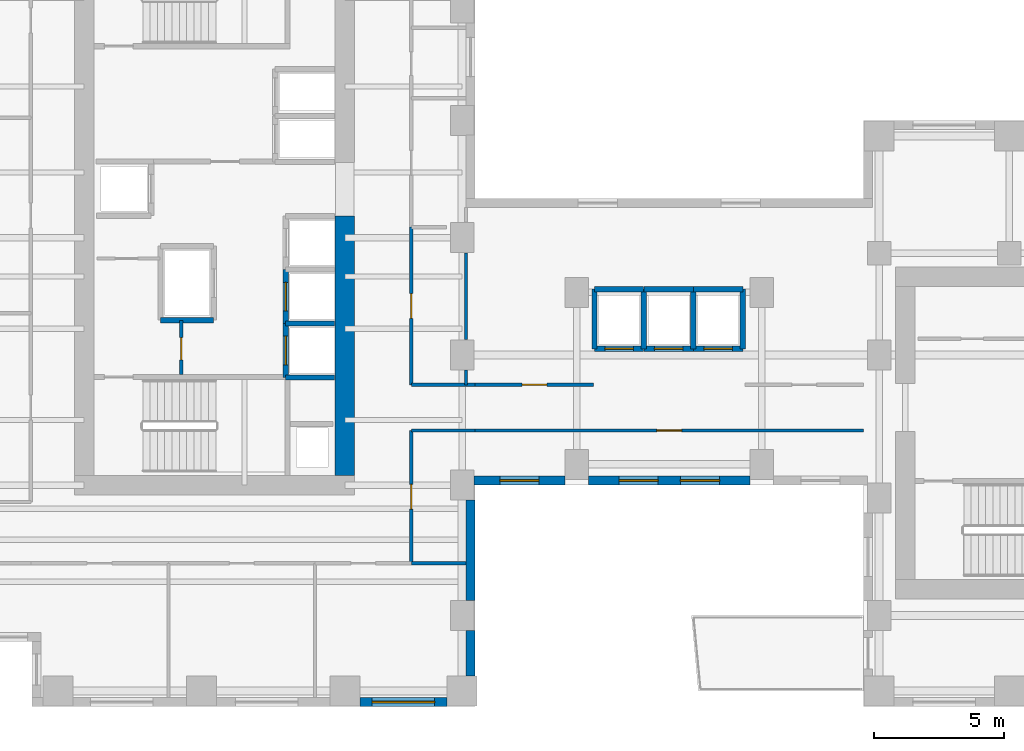
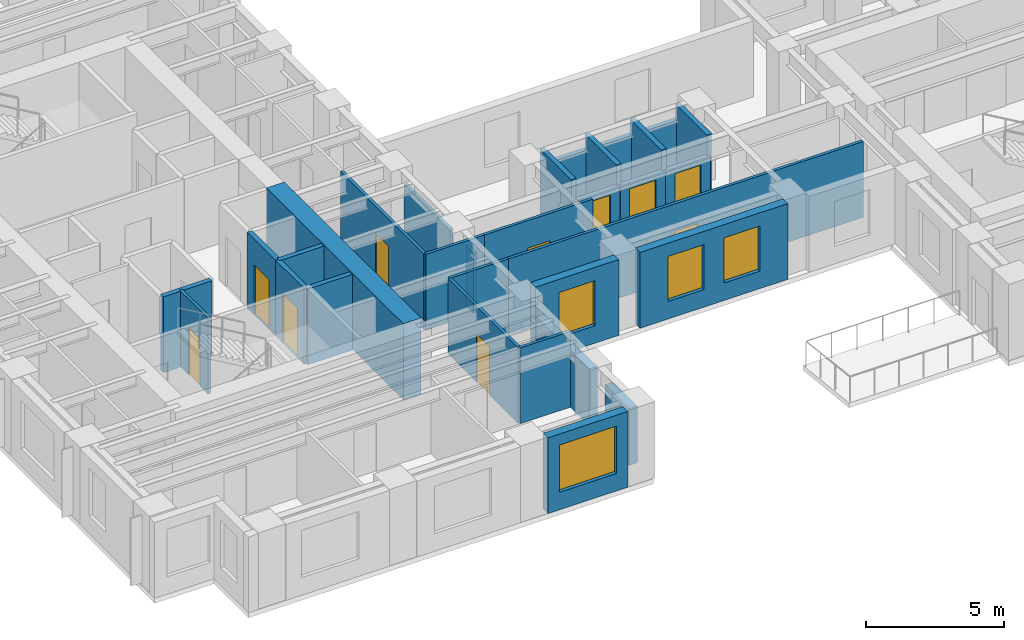
# One storey, part 4 of 12: 31 walls, 10 doors, 4 windows, 14 openings.
"""IFC4 building model written with IfcOpenShell, lengths in metres."""

from ifc_helpers import new_model, si_unit, direction, frame, frame_2d, origin, place, context, subcontext, project, spatial, rectangle, extrude, source, transform, mapped, material, layer, layer_set, type_object, element, fill, save


model = new_model("IFC4")

# Units and contexts
model_context = context("Model", 3, precision=1e-05, world=origin(), true_north=direction((0.0, 1.0)))
body_context = subcontext(model_context, "Body", "Model", "MODEL_VIEW")
ifc_project = project(units=[si_unit("LENGTHUNIT", "METRE"), si_unit("AREAUNIT", "SQUARE_METRE"), si_unit("VOLUMEUNIT", "CUBIC_METRE"), si_unit("PLANEANGLEUNIT", "RADIAN"), si_unit("MASSUNIT", "GRAM", prefix="KILO")], contexts=[model_context])

# Site, building, storey
site_placement = place(None, origin())
site = spatial("IfcSite", under=ifc_project, at=site_placement, CompositionType="ELEMENT")
building_placement = place(site_placement, origin())
building = spatial("IfcBuilding", under=site, at=building_placement, Name="Kharzan Plaza Tower", CompositionType="ELEMENT")
storey_placement = place(building_placement, frame((0.0, 0.0, 106.199951171875)))
storey = spatial("IfcBuildingStorey", under=building, at=storey_placement, Name="L28", CompositionType="ELEMENT", Elevation=106.199951171875)

# Wall, opening, window
ifc_material_1 = material(Name="Concrete C40/50", Category="concrete")
ifc_layer_1 = layer(ifc_material_1, 0.35009765625)
ifc_layer_set_1 = layer_set([ifc_layer_1], Name="Concrete C40/50")
wall_type_1 = type_object("IfcWallType", Name="WL-EXT-MAS-Z2", PredefinedType="SOLIDWALL", material=ifc_layer_set_1)
wall_1_placement = place(storey_placement, frame((15.072998046875, 0.175048828125, 0.0), z_axis=(0.0, 0.0, 1.0), x_axis=(1.0, 0.0, 0.0)))
wall_1 = element("IfcWall", 1, at=wall_1_placement, inside=storey, type_object=wall_type_1, Name="L28 Masonry-Frame Exterior Wall 31", PredefinedType="SOLIDWALL", context=body_context, shape_type="SweptSolid", body=[
    extrude(rectangle(XDim=3.35400390625, YDim=0.35009765625, at=frame_2d((1.677001953125, 0.0))), origin(), (0.0, 0.0, 1.0), 3.364990234375),
])
opening_1_placement = place(wall_1_placement, frame((0.47705078125, 0.0, 0.780029296875)))
opening_1 = element("IfcOpeningElement", 2, at=opening_1_placement, cuts=wall_1, Name="Opening W2", PredefinedType="OPENING", context=body_context, shape_type="SweptSolid", body=[
    extrude(rectangle(XDim=2.39990234375, YDim=2.10009765625, at=frame_2d((1.199951171875, 1.050048828125))), frame((0.0, 0.18505859375, 0.0), z_axis=(0.0, -1.0, 0.0), x_axis=(1.0, 0.0, 0.0)), (0.0, 0.0, 1.0), 0.3701171875),
])
ifc_material_2 = material(Name="Low-E Double Glazing", Category="glass")
window_type_1 = type_object("IfcWindowType", Name="WN-REC-2400x2100", PartitioningType="SINGLE_PANEL", PredefinedType="WINDOW", material=ifc_material_2)
shared_shape_1 = source(origin(), body_context, "Body", "SweptSolid", [
    extrude(rectangle(XDim=2.39990234375, YDim=2.10009765625, at=frame_2d((1.199951171875, 1.050048828125))), frame((0.0, 0.030029296875, 0.0), z_axis=(0.0, -1.0, 0.0), x_axis=(1.0, 0.0, 0.0)), (0.0, 0.0, 1.0), 0.06005859375),
])
window_1_placement = place(opening_1_placement, origin())
window_1 = element("IfcWindow", 3, at=window_1_placement, inside=storey, type_object=window_type_1, Name="L28 Wide Recessed Solar-Control Window 31-1", OverallHeight=2.10009765625, OverallWidth=2.39990234375, PartitioningType="SINGLE_PANEL", PredefinedType="WINDOW", context=body_context, shape_type="MappedRepresentation", body=[
    mapped(shared_shape_1, transform((0.0, 0.0, 0.0), x_axis=(1.0, 0.0, 0.0), y_axis=(0.0, 1.0, 0.0), z_axis=(0.0, 0.0, 1.0))),
])
fill(opening_1, window_1)

wall_2_placement = place(storey_placement, frame((19.447998046875, 8.675048828125, 0.0), z_axis=(0.0, 0.0, 1.0), x_axis=(1.0, 0.0, 0.0)))
wall_2 = element("IfcWall", 4, at=wall_2_placement, inside=storey, type_object=wall_type_1, Name="L28 Masonry-Frame Exterior Wall 34", PredefinedType="SOLIDWALL", context=body_context, shape_type="SweptSolid", body=[
    extrude(rectangle(XDim=3.50390625, YDim=0.35009765625, at=frame_2d((1.751953125, 0.0))), origin(), (0.0, 0.0, 1.0), 3.364990234375),
])
opening_2_placement = place(wall_2_placement, frame((1.001953125, 0.0, 0.780029296875)))
opening_2 = element("IfcOpeningElement", 5, at=opening_2_placement, cuts=wall_2, Name="Opening W5", PredefinedType="OPENING", context=body_context, shape_type="SweptSolid", body=[
    extrude(rectangle(XDim=1.5, YDim=2.0, at=frame_2d((0.75, 1.0))), frame((0.0, 0.18505859375, 0.0), z_axis=(0.0, -1.0, 0.0), x_axis=(1.0, 0.0, 0.0)), (0.0, 0.0, 1.0), 0.3701171875),
])
window_type_2 = type_object("IfcWindowType", Name="WN-SLT-1500x2000", PartitioningType="SINGLE_PANEL", PredefinedType="WINDOW", material=ifc_material_2)
shared_shape_2 = source(origin(), body_context, "Body", "SweptSolid", [
    extrude(rectangle(XDim=1.5, YDim=2.0, at=frame_2d((0.75, 1.0))), frame((0.0, 0.030029296875, 0.0), z_axis=(0.0, -1.0, 0.0), x_axis=(1.0, 0.0, 0.0)), (0.0, 0.0, 1.0), 0.06005859375),
])
window_2_placement = place(opening_2_placement, origin())
window_2 = element("IfcWindow", 6, at=window_2_placement, inside=storey, type_object=window_type_2, Name="L28 Recessed Solar-Control Window 34-1", OverallHeight=2.0, OverallWidth=1.5, PartitioningType="SINGLE_PANEL", PredefinedType="WINDOW", context=body_context, shape_type="MappedRepresentation", body=[
    mapped(shared_shape_2, transform((0.0, 0.0, 0.0), x_axis=(1.0, 0.0, 0.0), y_axis=(0.0, 1.0, 0.0), z_axis=(0.0, 0.0, 1.0))),
])
fill(opening_2, window_2)

# Wall, openings, windows
wall_3_placement = place(storey_placement, frame((23.847900390625, 8.675048828125, 0.0), z_axis=(0.0, 0.0, 1.0), x_axis=(1.0, 0.0, 0.0)))
wall_3 = element("IfcWall", 7, at=wall_3_placement, inside=storey, type_object=wall_type_1, Name="L28 Masonry-Frame Exterior Wall 35", PredefinedType="SOLIDWALL", context=body_context, shape_type="SweptSolid", body=[
    extrude(rectangle(XDim=6.2041015625, YDim=0.35009765625, at=frame_2d((3.10205078125, 0.0))), origin(), (0.0, 0.0, 1.0), 3.364990234375),
])
opening_3_placement = place(wall_3_placement, frame((1.1748046875, 0.0, 0.780029296875)))
opening_3 = element("IfcOpeningElement", 8, at=opening_3_placement, cuts=wall_3, Name="Opening W5", PredefinedType="OPENING", context=body_context, shape_type="SweptSolid", body=[
    extrude(rectangle(XDim=1.5, YDim=2.0, at=frame_2d((0.75, 1.0))), frame((0.0, 0.18505859375, 0.0), z_axis=(0.0, -1.0, 0.0), x_axis=(1.0, 0.0, 0.0)), (0.0, 0.0, 1.0), 0.3701171875),
])
opening_4_placement = place(wall_3_placement, frame((3.529296875, 0.0, 0.780029296875)))
opening_4 = element("IfcOpeningElement", 9, at=opening_4_placement, cuts=wall_3, Name="Opening W5", PredefinedType="OPENING", context=body_context, shape_type="SweptSolid", body=[
    extrude(rectangle(XDim=1.5, YDim=2.0, at=frame_2d((0.75, 1.0))), frame((0.0, 0.18505859375, 0.0), z_axis=(0.0, -1.0, 0.0), x_axis=(1.0, 0.0, 0.0)), (0.0, 0.0, 1.0), 0.3701171875),
])
window_3_placement = place(opening_3_placement, origin())
window_3 = element("IfcWindow", 10, at=window_3_placement, inside=storey, type_object=window_type_2, Name="L28 Recessed Solar-Control Window 35-1", OverallHeight=2.0, OverallWidth=1.5, PartitioningType="SINGLE_PANEL", PredefinedType="WINDOW", context=body_context, shape_type="MappedRepresentation", body=[
    mapped(shared_shape_2, transform((0.0, 0.0, 0.0), x_axis=(1.0, 0.0, 0.0), y_axis=(0.0, 1.0, 0.0), z_axis=(0.0, 0.0, 1.0))),
])
fill(opening_3, window_3)
window_4_placement = place(opening_4_placement, origin())
window_4 = element("IfcWindow", 11, at=window_4_placement, inside=storey, type_object=window_type_2, Name="L28 Recessed Solar-Control Window 35-2", OverallHeight=2.0, OverallWidth=1.5, PartitioningType="SINGLE_PANEL", PredefinedType="WINDOW", context=body_context, shape_type="MappedRepresentation", body=[
    mapped(shared_shape_2, transform((0.0, 0.0, 0.0), x_axis=(1.0, 0.0, 0.0), y_axis=(0.0, 1.0, 0.0), z_axis=(0.0, 0.0, 1.0))),
])
fill(opening_4, window_4)

# Wall, opening, door
ifc_material_3 = material(Name="Fire-Rated Gypsum Board Partition", Category="gypsum")
ifc_layer_2 = layer(ifc_material_3, 0.125)
ifc_layer_set_2 = layer_set([ifc_layer_2], Name="Fire-Rated Gypsum Board Partition")
wall_type_2 = type_object("IfcWallType", Name="WL-INT-PART-125", PredefinedType="PARTITIONING", material=ifc_layer_set_2)
wall_4_placement = place(storey_placement, frame((8.219970703125, 12.75, 0.0), z_axis=(0.0, 0.0, 1.0), x_axis=(0.0, 1.0, 0.0)))
wall_4 = element("IfcWall", 12, at=wall_4_placement, inside=storey, type_object=wall_type_2, Name="L28 Interior Partition CA-K1E", PredefinedType="PARTITIONING", context=body_context, shape_type="SweptSolid", body=[
    extrude(rectangle(XDim=2.070068359375, YDim=0.125, at=frame_2d((1.03515625, 0.0))), origin(), (0.0, 0.0, 1.0), 3.364990234375),
])
opening_5_placement = place(wall_4_placement, frame((0.56005859375, 0.0, 0.0)))
opening_5 = element("IfcOpeningElement", 13, at=opening_5_placement, cuts=wall_4, Name="Opening RD1", PredefinedType="OPENING", context=body_context, shape_type="SweptSolid", body=[
    extrude(rectangle(XDim=0.85009765625, YDim=2.10009765625, at=frame_2d((0.425048828125, 1.050048828125))), frame((0.0, 0.072509765625, 0.0), z_axis=(0.0, -1.0, 0.0), x_axis=(1.0, 0.0, 0.0)), (0.0, 0.0, 1.0), 0.14501953125),
])
ifc_material_4 = material(Name="Powder-Coated Fire-Rated Steel", Category="steel")
door_type_1 = type_object("IfcDoorType", Name="DR-RISER-900", OperationType="NOTDEFINED", PredefinedType="DOOR", material=ifc_material_4)
shared_shape_3 = source(origin(), body_context, "Body", "SweptSolid", [
    extrude(rectangle(XDim=0.85009765625, YDim=2.10009765625, at=frame_2d((0.425048828125, 1.050048828125))), frame((0.0, 0.02490234375, 0.0), z_axis=(0.0, -1.0, 0.0), x_axis=(1.0, 0.0, 0.0)), (0.0, 0.0, 1.0), 0.050048828125),
])
door_1_placement = place(opening_5_placement, origin())
door_1 = element("IfcDoor", 14, at=door_1_placement, inside=storey, type_object=door_type_1, Name="L28 Core Service Store Door", OperationType="SINGLE_SWING_LEFT", OverallHeight=2.10009765625, OverallWidth=0.85009765625, PredefinedType="DOOR", context=body_context, shape_type="MappedRepresentation", body=[
    mapped(shared_shape_3, transform((0.0, 0.0, 0.0), x_axis=(1.0, 0.0, 0.0), y_axis=(0.0, 1.0, 0.0), z_axis=(0.0, 0.0, 1.0))),
])
fill(opening_5, door_1)

wall_5_placement = place(storey_placement, frame((17.050048828125, 12.35009765625, 0.0), z_axis=(0.0, 0.0, 1.0), x_axis=(0.0, 1.0, 0.0)))
wall_5 = element("IfcWall", 15, at=wall_5_placement, inside=storey, type_object=wall_type_2, Name="L28 Interior Partition SH-AEWN1", PredefinedType="PARTITIONING", context=body_context, shape_type="SweptSolid", body=[
    extrude(rectangle(XDim=6.0498046875, YDim=0.125, at=frame_2d((3.02490234375, 0.0))), origin(), (0.0, 0.0, 1.0), 3.364990234375),
])
opening_6_placement = place(wall_5_placement, frame((2.550048828125, 0.0, 0.0)))
opening_6 = element("IfcOpeningElement", 16, at=opening_6_placement, cuts=wall_5, Name="Opening OD1", PredefinedType="OPENING", context=body_context, shape_type="SweptSolid", body=[
    extrude(rectangle(XDim=0.949951171875, YDim=2.14990234375, at=frame_2d((0.47509765625, 1.074951171875))), frame((0.0, 0.072509765625, 0.0), z_axis=(0.0, -1.0, 0.0), x_axis=(1.0, 0.0, 0.0)), (0.0, 0.0, 1.0), 0.14501953125),
])
ifc_material_5 = material(Name="Acoustic Solid-Core Stained Oak", Category="timber")
door_type_2 = type_object("IfcDoorType", Name="DR-OFF-SINGLE", OperationType="NOTDEFINED", PredefinedType="DOOR", material=ifc_material_5)
shared_shape_4 = source(origin(), body_context, "Body", "SweptSolid", [
    extrude(rectangle(XDim=0.949951171875, YDim=2.14990234375, at=frame_2d((0.47509765625, 1.074951171875))), frame((0.0, 0.02490234375, 0.0), z_axis=(0.0, -1.0, 0.0), x_axis=(1.0, 0.0, 0.0)), (0.0, 0.0, 1.0), 0.050048828125),
])
door_2_placement = place(opening_6_placement, origin())
door_2 = element("IfcDoor", 17, at=door_2_placement, inside=storey, type_object=door_type_2, Name="L28 Slot Collaboration Door", OperationType="SINGLE_SWING_RIGHT", OverallHeight=2.14990234375, OverallWidth=0.949951171875, PredefinedType="DOOR", context=body_context, shape_type="MappedRepresentation", body=[
    mapped(shared_shape_4, transform((0.0, 0.0, 0.0), x_axis=(1.0, 0.0, 0.0), y_axis=(0.0, 1.0, 0.0), z_axis=(0.0, 0.0, 1.0))),
])
fill(opening_6, door_2)

wall_6_placement = place(storey_placement, frame((17.050048828125, 5.5, 0.0), z_axis=(0.0, 0.0, 1.0), x_axis=(0.0, 1.0, 0.0)))
wall_6 = element("IfcWall", 18, at=wall_6_placement, inside=storey, type_object=wall_type_2, Name="L28 Interior Partition SH-AEWS", PredefinedType="PARTITIONING", context=body_context, shape_type="SweptSolid", body=[
    extrude(rectangle(XDim=5.10009765625, YDim=0.125, at=frame_2d((2.550048828125, 0.0))), origin(), (0.0, 0.0, 1.0), 3.364990234375),
])
opening_7_placement = place(wall_6_placement, frame((2.074951171875, 0.0, 0.0)))
opening_7 = element("IfcOpeningElement", 19, at=opening_7_placement, cuts=wall_6, Name="Opening OD1", PredefinedType="OPENING", context=body_context, shape_type="SweptSolid", body=[
    extrude(rectangle(XDim=0.949951171875, YDim=2.14990234375, at=frame_2d((0.47509765625, 1.074951171875))), frame((0.0, 0.072509765625, 0.0), z_axis=(0.0, -1.0, 0.0), x_axis=(1.0, 0.0, 0.0)), (0.0, 0.0, 1.0), 0.14501953125),
])
door_3_placement = place(opening_7_placement, origin())
door_3 = element("IfcDoor", 20, at=door_3_placement, inside=storey, type_object=door_type_2, Name="L28 Slot South Office Door", OperationType="SINGLE_SWING_LEFT", OverallHeight=2.14990234375, OverallWidth=0.949951171875, PredefinedType="DOOR", context=body_context, shape_type="MappedRepresentation", body=[
    mapped(shared_shape_4, transform((0.0, 0.0, 0.0), x_axis=(1.0, 0.0, 0.0), y_axis=(0.0, 1.0, 0.0), z_axis=(0.0, 0.0, 1.0))),
])
fill(opening_7, door_3)

wall_7_placement = place(storey_placement, frame((19.5, 12.35009765625, 0.0), z_axis=(0.0, 0.0, 1.0), x_axis=(1.0, 0.0, 0.0)))
wall_7 = element("IfcWall", 21, at=wall_7_placement, inside=storey, type_object=wall_type_2, Name="L28 Interior Partition SH-SPNW1", PredefinedType="PARTITIONING", context=body_context, shape_type="SweptSolid", body=[
    extrude(rectangle(XDim=4.550048828125, YDim=0.125, at=frame_2d((2.27490234375, 0.0))), origin(), (0.0, 0.0, 1.0), 3.364990234375),
])
opening_8_placement = place(wall_7_placement, frame((1.800048828125, 0.0, 0.0)))
opening_8 = element("IfcOpeningElement", 22, at=opening_8_placement, cuts=wall_7, Name="Opening OD1", PredefinedType="OPENING", context=body_context, shape_type="SweptSolid", body=[
    extrude(rectangle(XDim=0.949951171875, YDim=2.14990234375, at=frame_2d((0.47509765625, 1.074951171875))), frame((0.0, 0.072509765625, 0.0), z_axis=(0.0, -1.0, 0.0), x_axis=(1.0, 0.0, 0.0)), (0.0, 0.0, 1.0), 0.14501953125),
])
door_4_placement = place(opening_8_placement, origin())
door_4 = element("IfcDoor", 23, at=door_4_placement, inside=storey, type_object=door_type_2, Name="L28 North-West Spine Door", OperationType="SINGLE_SWING_LEFT", OverallHeight=2.14990234375, OverallWidth=0.949951171875, PredefinedType="DOOR", context=body_context, shape_type="MappedRepresentation", body=[
    mapped(shared_shape_4, transform((0.0, 0.0, 0.0), x_axis=(1.0, 0.0, 0.0), y_axis=(0.0, 1.0, 0.0), z_axis=(0.0, 0.0, 1.0))),
])
fill(opening_8, door_4)

wall_8_placement = place(storey_placement, frame((19.5, 10.60009765625, 0.0), z_axis=(0.0, 0.0, 1.0), x_axis=(1.0, 0.0, 0.0)))
wall_8 = element("IfcWall", 24, at=wall_8_placement, inside=storey, type_object=wall_type_2, Name="L28 Interior Partition SH-SPS1", PredefinedType="PARTITIONING", context=body_context, shape_type="SweptSolid", body=[
    extrude(rectangle(XDim=14.89990234375, YDim=0.125, at=frame_2d((7.449951171875, 0.0))), origin(), (0.0, 0.0, 1.0), 3.364990234375),
])
opening_9_placement = place(wall_8_placement, frame((6.97509765625, 0.0, 0.0)))
opening_9 = element("IfcOpeningElement", 25, at=opening_9_placement, cuts=wall_8, Name="Opening OD1", PredefinedType="OPENING", context=body_context, shape_type="SweptSolid", body=[
    extrude(rectangle(XDim=0.949951171875, YDim=2.14990234375, at=frame_2d((0.47509765625, 1.074951171875))), frame((0.0, 0.072509765625, 0.0), z_axis=(0.0, -1.0, 0.0), x_axis=(1.0, 0.0, 0.0)), (0.0, 0.0, 1.0), 0.14501953125),
])
door_5_placement = place(opening_9_placement, origin())
door_5 = element("IfcDoor", 26, at=door_5_placement, inside=storey, type_object=door_type_2, Name="L28 South Spine Studio Door", OperationType="SINGLE_SWING_RIGHT", OverallHeight=2.14990234375, OverallWidth=0.949951171875, PredefinedType="DOOR", context=body_context, shape_type="MappedRepresentation", body=[
    mapped(shared_shape_4, transform((0.0, 0.0, 0.0), x_axis=(1.0, 0.0, 0.0), y_axis=(0.0, 1.0, 0.0), z_axis=(0.0, 0.0, 1.0))),
])
fill(opening_9, door_5)

ifc_layer_3 = layer(ifc_material_1, 0.199951171875)
ifc_layer_set_3 = layer_set([ifc_layer_3], Name="Concrete C40/50")
wall_type_3 = type_object("IfcWallType", Name="WL-INT-SHAFT-200", PredefinedType="PARTITIONING", material=ifc_layer_set_3)
wall_9_placement = place(storey_placement, frame((12.22998046875, 12.6298828125, 0.0), z_axis=(0.0, 0.0, 1.0), x_axis=(0.0, 1.0, 0.0)))
wall_9 = element("IfcWall", 27, at=wall_9_placement, inside=storey, type_object=wall_type_3, Name="L28 Interior Partition SHF-PL-H1-W", PredefinedType="PARTITIONING", context=body_context, shape_type="SweptSolid", body=[
    extrude(rectangle(XDim=2.070068359375, YDim=0.199951171875, at=frame_2d((1.03515625, 0.0))), origin(), (0.0, 0.0, 1.0), 3.364990234375),
])
opening_10_placement = place(wall_9_placement, frame((0.485107421875, 0.0, 0.0)))
opening_10 = element("IfcOpeningElement", 28, at=opening_10_placement, cuts=wall_9, Name="Opening LD", PredefinedType="OPENING", context=body_context, shape_type="SweptSolid", body=[
    extrude(rectangle(XDim=1.10009765625, YDim=2.199951171875, at=frame_2d((0.550048828125, 1.10009765625))), frame((0.0, 0.10986328125, 0.0), z_axis=(0.0, -1.0, 0.0), x_axis=(1.0, 0.0, 0.0)), (0.0, 0.0, 1.0), 0.219970703125),
])
ifc_material_6 = material(Name="Brushed Stainless Steel", Category="steel")
door_type_3 = type_object("IfcDoorType", Name="DR-LIFT-SLIDE", OperationType="SLIDING_TO_LEFT", PredefinedType="DOOR", material=ifc_material_6)
shared_shape_5 = source(origin(), body_context, "Body", "SweptSolid", [
    extrude(rectangle(XDim=1.10009765625, YDim=2.199951171875, at=frame_2d((0.550048828125, 1.10009765625))), frame((0.0, 0.02490234375, 0.0), z_axis=(0.0, -1.0, 0.0), x_axis=(1.0, 0.0, 0.0)), (0.0, 0.0, 1.0), 0.050048828125),
])
door_6_placement = place(opening_10_placement, origin())
door_6 = element("IfcDoor", 29, at=door_6_placement, inside=storey, type_object=door_type_3, Name="L28 High-Rise Passenger Lift PL-H1 Sliding Landing Door", OperationType="SLIDING_TO_LEFT", OverallHeight=2.199951171875, OverallWidth=1.10009765625, PredefinedType="DOOR", context=body_context, shape_type="MappedRepresentation", body=[
    mapped(shared_shape_5, transform((0.0, 0.0, 0.0), x_axis=(1.0, 0.0, 0.0), y_axis=(0.0, 1.0, 0.0), z_axis=(0.0, 0.0, 1.0))),
])
fill(opening_10, door_6)

wall_10_placement = place(storey_placement, frame((12.22998046875, 14.699951171875, 0.0), z_axis=(0.0, 0.0, 1.0), x_axis=(0.0, 1.0, 0.0)))
wall_10 = element("IfcWall", 30, at=wall_10_placement, inside=storey, type_object=wall_type_3, Name="L28 Interior Partition SHF-PL-H2-W", PredefinedType="PARTITIONING", context=body_context, shape_type="SweptSolid", body=[
    extrude(rectangle(XDim=2.070068359375, YDim=0.199951171875, at=frame_2d((1.03515625, 0.0))), origin(), (0.0, 0.0, 1.0), 3.364990234375),
])
opening_11_placement = place(wall_10_placement, frame((0.485107421875, 0.0, 0.0)))
opening_11 = element("IfcOpeningElement", 31, at=opening_11_placement, cuts=wall_10, Name="Opening LD", PredefinedType="OPENING", context=body_context, shape_type="SweptSolid", body=[
    extrude(rectangle(XDim=1.10009765625, YDim=2.199951171875, at=frame_2d((0.550048828125, 1.10009765625))), frame((0.0, 0.10986328125, 0.0), z_axis=(0.0, -1.0, 0.0), x_axis=(1.0, 0.0, 0.0)), (0.0, 0.0, 1.0), 0.219970703125),
])
door_7_placement = place(opening_11_placement, origin())
door_7 = element("IfcDoor", 32, at=door_7_placement, inside=storey, type_object=door_type_3, Name="L28 High-Rise Passenger Lift PL-H2 Sliding Landing Door", OperationType="SLIDING_TO_LEFT", OverallHeight=2.199951171875, OverallWidth=1.10009765625, PredefinedType="DOOR", context=body_context, shape_type="MappedRepresentation", body=[
    mapped(shared_shape_5, transform((0.0, 0.0, 0.0), x_axis=(1.0, 0.0, 0.0), y_axis=(0.0, 1.0, 0.0), z_axis=(0.0, 0.0, 1.0))),
])
fill(opening_11, door_7)

wall_11_placement = place(storey_placement, frame((24.080078125, 13.72998046875, 0.0), z_axis=(0.0, 0.0, 1.0), x_axis=(1.0, 0.0, 0.0)))
wall_11 = element("IfcWall", 33, at=wall_11_placement, inside=storey, type_object=wall_type_3, Name="L28 Interior Partition SHF-PL-M1-S", PredefinedType="PARTITIONING", context=body_context, shape_type="SweptSolid", body=[
    extrude(rectangle(XDim=1.889892578125, YDim=0.199951171875, at=frame_2d((0.94482421875, 0.0))), origin(), (0.0, 0.0, 1.0), 2.446044921875),
])
opening_12_placement = place(wall_11_placement, frame((0.39501953125, 0.0, 0.0)))
opening_12 = element("IfcOpeningElement", 34, at=opening_12_placement, cuts=wall_11, Name="Opening LD", PredefinedType="OPENING", context=body_context, shape_type="SweptSolid", body=[
    extrude(rectangle(XDim=1.10009765625, YDim=2.199951171875, at=frame_2d((0.550048828125, 1.10009765625))), frame((0.0, 0.10986328125, 0.0), z_axis=(0.0, -1.0, 0.0), x_axis=(1.0, 0.0, 0.0)), (0.0, 0.0, 1.0), 0.219970703125),
])
door_8_placement = place(opening_12_placement, origin())
door_8 = element("IfcDoor", 35, at=door_8_placement, inside=storey, type_object=door_type_3, Name="L28 Mid-Rise Passenger Lift PL-M1 Sliding Landing Door", OperationType="SLIDING_TO_LEFT", OverallHeight=2.199951171875, OverallWidth=1.10009765625, PredefinedType="DOOR", context=body_context, shape_type="MappedRepresentation", body=[
    mapped(shared_shape_5, transform((0.0, 0.0, 0.0), x_axis=(1.0, 0.0, 0.0), y_axis=(0.0, 1.0, 0.0), z_axis=(0.0, 0.0, 1.0))),
])
fill(opening_12, door_8)

wall_12_placement = place(storey_placement, frame((25.97998046875, 13.72998046875, 0.0), z_axis=(0.0, 0.0, 1.0), x_axis=(1.0, 0.0, 0.0)))
wall_12 = element("IfcWall", 36, at=wall_12_placement, inside=storey, type_object=wall_type_3, Name="L28 Interior Partition SHF-PL-M2-S", PredefinedType="PARTITIONING", context=body_context, shape_type="SweptSolid", body=[
    extrude(rectangle(XDim=1.89013671875, YDim=0.199951171875, at=frame_2d((0.945068359375, 0.0))), origin(), (0.0, 0.0, 1.0), 2.446044921875),
])
opening_13_placement = place(wall_12_placement, frame((0.39501953125, 0.0, 0.0)))
opening_13 = element("IfcOpeningElement", 37, at=opening_13_placement, cuts=wall_12, Name="Opening LD", PredefinedType="OPENING", context=body_context, shape_type="SweptSolid", body=[
    extrude(rectangle(XDim=1.10009765625, YDim=2.199951171875, at=frame_2d((0.550048828125, 1.10009765625))), frame((0.0, 0.10986328125, 0.0), z_axis=(0.0, -1.0, 0.0), x_axis=(1.0, 0.0, 0.0)), (0.0, 0.0, 1.0), 0.219970703125),
])
door_9_placement = place(opening_13_placement, origin())
door_9 = element("IfcDoor", 38, at=door_9_placement, inside=storey, type_object=door_type_3, Name="L28 Mid-Rise Passenger Lift PL-M2 Sliding Landing Door", OperationType="SLIDING_TO_LEFT", OverallHeight=2.199951171875, OverallWidth=1.10009765625, PredefinedType="DOOR", context=body_context, shape_type="MappedRepresentation", body=[
    mapped(shared_shape_5, transform((0.0, 0.0, 0.0), x_axis=(1.0, 0.0, 0.0), y_axis=(0.0, 1.0, 0.0), z_axis=(0.0, 0.0, 1.0))),
])
fill(opening_13, door_9)

wall_13_placement = place(storey_placement, frame((27.8798828125, 13.72998046875, 0.0), z_axis=(0.0, 0.0, 1.0), x_axis=(1.0, 0.0, 0.0)))
wall_13 = element("IfcWall", 39, at=wall_13_placement, inside=storey, type_object=wall_type_3, Name="L28 Interior Partition SHF-PL-M3-S", PredefinedType="PARTITIONING", context=body_context, shape_type="SweptSolid", body=[
    extrude(rectangle(XDim=1.89013671875, YDim=0.199951171875, at=frame_2d((0.945068359375, 0.0))), origin(), (0.0, 0.0, 1.0), 2.446044921875),
])
opening_14_placement = place(wall_13_placement, frame((0.39501953125, 0.0, 0.0)))
opening_14 = element("IfcOpeningElement", 40, at=opening_14_placement, cuts=wall_13, Name="Opening LD", PredefinedType="OPENING", context=body_context, shape_type="SweptSolid", body=[
    extrude(rectangle(XDim=1.10009765625, YDim=2.199951171875, at=frame_2d((0.550048828125, 1.10009765625))), frame((0.0, 0.10986328125, 0.0), z_axis=(0.0, -1.0, 0.0), x_axis=(1.0, 0.0, 0.0)), (0.0, 0.0, 1.0), 0.219970703125),
])
door_10_placement = place(opening_14_placement, origin())
door_10 = element("IfcDoor", 41, at=door_10_placement, inside=storey, type_object=door_type_3, Name="L28 Mid-Rise Passenger Lift PL-M3 Sliding Landing Door", OperationType="SLIDING_TO_LEFT", OverallHeight=2.199951171875, OverallWidth=1.10009765625, PredefinedType="DOOR", context=body_context, shape_type="MappedRepresentation", body=[
    mapped(shared_shape_5, transform((0.0, 0.0, 0.0), x_axis=(1.0, 0.0, 0.0), y_axis=(0.0, 1.0, 0.0), z_axis=(0.0, 0.0, 1.0))),
])
fill(opening_14, door_10)

# Walls
shared_shape_6 = source(origin(), body_context, "Body", "SweptSolid", [
    extrude(rectangle(XDim=2.2900390625, YDim=0.199951171875, at=frame_2d((1.14501953125, 0.0))), origin(), (0.0, 0.0, 1.0), 3.364990234375),
])
for number, where, z_axis, x_axis, name in (
    (42, (25.969970703125, 13.72998046875, 0.0), (0.0, 0.0, 1.0), (0.0, 1.0, 0.0), "L28 Interior Partition SHF-PL-M1-E"),
    (43, (24.080078125, 13.72998046875, 0.0), (0.0, 0.0, 1.0), (0.0, 1.0, 0.0), "L28 Interior Partition SHF-PL-M1-W"),
    (44, (27.8701171875, 13.72998046875, 0.0), (0.0, 0.0, 1.0), (0.0, 1.0, 0.0), "L28 Interior Partition SHF-PL-M2-E"),
    (45, (29.77001953125, 13.72998046875, 0.0), (0.0, 0.0, 1.0), (0.0, 1.0, 0.0), "L28 Interior Partition SHF-PL-M3-E"),
):
    element("IfcWall", number, at=place(storey_placement, frame(where, z_axis=z_axis, x_axis=x_axis)), inside=storey, type_object=wall_type_3, Name=name, PredefinedType="PARTITIONING", context=body_context, shape_type="MappedRepresentation", body=[
        mapped(shared_shape_6, transform((0.0, 0.0, 0.0), x_axis=(1.0, 0.0, 0.0), y_axis=(0.0, 1.0, 0.0), z_axis=(0.0, 0.0, 1.0))),
    ])
shared_shape_7 = source(origin(), body_context, "Body", "SweptSolid", [
    extrude(rectangle(XDim=2.0400390625, YDim=0.199951171875, at=frame_2d((1.02001953125, 0.0))), origin(), (0.0, 0.0, 1.0), 3.364990234375),
])
wall_14_placement = place(storey_placement, frame((7.429931640625, 14.830078125, 0.0), z_axis=(0.0, 0.0, 1.0), x_axis=(1.0, 0.0, 0.0)))
element("IfcWall", 46, at=wall_14_placement, inside=storey, type_object=wall_type_3, Name="L28 Interior Partition SHF-SVL-1-S", PredefinedType="PARTITIONING", context=body_context, shape_type="MappedRepresentation", body=[
    mapped(shared_shape_7, transform((0.0, 0.0, 0.0), x_axis=(1.0, 0.0, 0.0), y_axis=(0.0, 1.0, 0.0), z_axis=(0.0, 0.0, 1.0))),
])
shared_shape_8 = source(origin(), body_context, "Body", "SweptSolid", [
    extrude(rectangle(XDim=2.097900390625, YDim=0.125, at=frame_2d((1.048828125, 0.0))), origin(), (0.0, 0.0, 1.0), 3.364990234375),
])
wall_15_placement = place(storey_placement, frame((17.050048828125, 5.5, 0.0), z_axis=(0.0, 0.0, 1.0), x_axis=(1.0, 0.0, 0.0)))
element("IfcWall", 47, at=wall_15_placement, inside=storey, type_object=wall_type_2, Name="L28 Interior Partition SH-SSE-3", PredefinedType="PARTITIONING", context=body_context, shape_type="MappedRepresentation", body=[
    mapped(shared_shape_8, transform((0.0, 0.0, 0.0), x_axis=(1.0, 0.0, 0.0), y_axis=(0.0, 1.0, 0.0), z_axis=(0.0, 0.0, 1.0))),
])
shared_shape_9 = source(origin(), body_context, "Body", "SweptSolid", [
    extrude(rectangle(XDim=2.449951171875, YDim=0.125, at=frame_2d((1.22509765625, 0.0))), origin(), (0.0, 0.0, 1.0), 3.364990234375),
])
for number, where, z_axis, x_axis, name in (
    (48, (17.050048828125, 12.35009765625, 0.0), (0.0, 0.0, 1.0), (1.0, 0.0, 0.0), "L28 Interior Partition SH-SPNW0"),
    (49, (17.050048828125, 10.60009765625, 0.0), (0.0, 0.0, 1.0), (1.0, 0.0, 0.0), "L28 Interior Partition SH-SPS0"),
):
    element("IfcWall", number, at=place(storey_placement, frame(where, z_axis=z_axis, x_axis=x_axis)), inside=storey, type_object=wall_type_2, Name=name, PredefinedType="PARTITIONING", context=body_context, shape_type="MappedRepresentation", body=[
        mapped(shared_shape_9, transform((0.0, 0.0, 0.0), x_axis=(1.0, 0.0, 0.0), y_axis=(0.0, 1.0, 0.0), z_axis=(0.0, 0.0, 1.0))),
    ])
ifc_material_7 = material(Name="Concrete C60/75", Category="concrete")
ifc_layer_4 = layer(ifc_material_7, 0.75)
ifc_layer_set_4 = layer_set([ifc_layer_4], Name="Concrete C60/75")
wall_type_4 = type_object("IfcWallType", Name="WL-CORE-750", PredefinedType="SHEAR", material=ifc_layer_set_4)
shared_shape_10 = source(origin(), body_context, "Body", "SweptSolid", [
    extrude(rectangle(XDim=9.945068359375, YDim=0.75, at=frame_2d((4.97265625, 0.0))), origin(), (0.0, 0.0, 1.0), 3.380126953125),
])
wall_16_placement = place(storey_placement, frame((14.5, 8.875, 0.0), z_axis=(0.0, 0.0, 1.0), x_axis=(0.0, 1.0, 0.0)))
element("IfcWall", 50, at=wall_16_placement, inside=storey, type_object=wall_type_4, Name="L28 CORE-A east shear pier 1", PredefinedType="SHEAR", context=body_context, shape_type="MappedRepresentation", body=[
    mapped(shared_shape_10, transform((0.0, 0.0, 0.0), x_axis=(1.0, 0.0, 0.0), y_axis=(0.0, 1.0, 0.0), z_axis=(0.0, 0.0, 1.0))),
])
shared_shape_11 = source(origin(), body_context, "Body", "SweptSolid", [
    extrude(rectangle(XDim=1.75390625, YDim=0.35009765625, at=frame_2d((0.876953125, 0.0))), origin(), (0.0, 0.0, 1.0), 2.51904296875),
])
wall_17_placement = place(storey_placement, frame((19.324951171875, 1.173095703125, 0.0), z_axis=(0.0, 0.0, 1.0), x_axis=(0.0, 1.0, 0.0)))
element("IfcWall", 51, at=wall_17_placement, inside=storey, type_object=wall_type_1, Name="L28 Masonry-Frame Exterior Wall 32", PredefinedType="SOLIDWALL", context=body_context, shape_type="MappedRepresentation", body=[
    mapped(shared_shape_11, transform((0.0, 0.0, 0.0), x_axis=(1.0, 0.0, 0.0), y_axis=(0.0, 1.0, 0.0), z_axis=(0.0, 0.0, 1.0))),
])
shared_shape_12 = source(origin(), body_context, "Body", "SweptSolid", [
    extrude(rectangle(XDim=0.559814453125, YDim=0.125, at=frame_2d((0.27978515625, 0.0))), origin(), (0.0, 0.0, 1.0), 2.677001953125),
])
wall_18_placement = place(storey_placement, frame((19.14990234375, 12.35009765625, 0.0), z_axis=(0.0, 0.0, 1.0), x_axis=(0.0, 1.0, 0.0)))
element("IfcWall", 52, at=wall_18_placement, inside=storey, type_object=wall_type_2, Name="L28 Interior Partition SH-AEN-DIV-S1", PredefinedType="PARTITIONING", context=body_context, shape_type="MappedRepresentation", body=[
    mapped(shared_shape_12, transform((0.0, 0.0, 0.0), x_axis=(1.0, 0.0, 0.0), y_axis=(0.0, 1.0, 0.0), z_axis=(0.0, 0.0, 1.0))),
])
shared_shape_13 = source(origin(), body_context, "Body", "SweptSolid", [
    extrude(rectangle(XDim=3.31982421875, YDim=0.125, at=frame_2d((1.659912109375, 0.0))), origin(), (0.0, 0.0, 1.0), 2.677001953125),
])
wall_19_placement = place(storey_placement, frame((19.14990234375, 14.090087890625, 0.0), z_axis=(0.0, 0.0, 1.0), x_axis=(0.0, 1.0, 0.0)))
element("IfcWall", 53, at=wall_19_placement, inside=storey, type_object=wall_type_2, Name="L28 Interior Partition SH-AEN-DIV-S2", PredefinedType="PARTITIONING", context=body_context, shape_type="MappedRepresentation", body=[
    mapped(shared_shape_13, transform((0.0, 0.0, 0.0), x_axis=(1.0, 0.0, 0.0), y_axis=(0.0, 1.0, 0.0), z_axis=(0.0, 0.0, 1.0))),
])
shared_shape_14 = source(origin(), body_context, "Body", "SweptSolid", [
    extrude(rectangle(XDim=1.864990234375, YDim=0.199951171875, at=frame_2d((0.9326171875, 0.0))), origin(), (0.0, 0.0, 1.0), 3.364990234375),
])
for number, where, z_axis, x_axis, name in (
    (54, (12.22998046875, 14.699951171875, 0.0), (0.0, 0.0, 1.0), (1.0, 0.0, 0.0), "L28 Interior Partition SHF-PL-H1-N"),
    (55, (12.22998046875, 12.6298828125, 0.0), (0.0, 0.0, 1.0), (1.0, 0.0, 0.0), "L28 Interior Partition SHF-PL-H1-S"),
):
    element("IfcWall", number, at=place(storey_placement, frame(where, z_axis=z_axis, x_axis=x_axis)), inside=storey, type_object=wall_type_3, Name=name, PredefinedType="PARTITIONING", context=body_context, shape_type="MappedRepresentation", body=[
        mapped(shared_shape_14, transform((0.0, 0.0, 0.0), x_axis=(1.0, 0.0, 0.0), y_axis=(0.0, 1.0, 0.0), z_axis=(0.0, 0.0, 1.0))),
    ])
shared_shape_15 = source(origin(), body_context, "Body", "SweptSolid", [
    extrude(rectangle(XDim=1.889892578125, YDim=0.199951171875, at=frame_2d((0.94482421875, 0.0))), origin(), (0.0, 0.0, 1.0), 2.677001953125),
])
wall_20_placement = place(storey_placement, frame((24.080078125, 16.02001953125, 0.0), z_axis=(0.0, 0.0, 1.0), x_axis=(1.0, 0.0, 0.0)))
element("IfcWall", 56, at=wall_20_placement, inside=storey, type_object=wall_type_3, Name="L28 Interior Partition SHF-PL-M1-N", PredefinedType="PARTITIONING", context=body_context, shape_type="MappedRepresentation", body=[
    mapped(shared_shape_15, transform((0.0, 0.0, 0.0), x_axis=(1.0, 0.0, 0.0), y_axis=(0.0, 1.0, 0.0), z_axis=(0.0, 0.0, 1.0))),
])
shared_shape_16 = source(origin(), body_context, "Body", "SweptSolid", [
    extrude(rectangle(XDim=1.89013671875, YDim=0.199951171875, at=frame_2d((0.945068359375, 0.0))), origin(), (0.0, 0.0, 1.0), 2.677001953125),
])
for number, where, z_axis, x_axis, name in (
    (57, (25.97998046875, 16.02001953125, 0.0), (0.0, 0.0, 1.0), (1.0, 0.0, 0.0), "L28 Interior Partition SHF-PL-M2-N"),
    (58, (27.8798828125, 16.02001953125, 0.0), (0.0, 0.0, 1.0), (1.0, 0.0, 0.0), "L28 Interior Partition SHF-PL-M3-N"),
):
    element("IfcWall", number, at=place(storey_placement, frame(where, z_axis=z_axis, x_axis=x_axis)), inside=storey, type_object=wall_type_3, Name=name, PredefinedType="PARTITIONING", context=body_context, shape_type="MappedRepresentation", body=[
        mapped(shared_shape_16, transform((0.0, 0.0, 0.0), x_axis=(1.0, 0.0, 0.0), y_axis=(0.0, 1.0, 0.0), z_axis=(0.0, 0.0, 1.0))),
    ])
shared_shape_17 = source(origin(), body_context, "Body", "SweptSolid", [
    extrude(rectangle(XDim=3.85400390625, YDim=0.35009765625, at=frame_2d((1.927001953125, 0.0))), origin(), (0.0, 0.0, 1.0), 2.51904296875),
])
wall_21_placement = place(storey_placement, frame((19.324951171875, 4.072998046875, 0.0), z_axis=(0.0, 0.0, 1.0), x_axis=(0.0, 1.0, 0.0)))
element("IfcWall", 59, at=wall_21_placement, inside=storey, type_object=wall_type_1, Name="L28 Masonry-Frame Exterior Wall 33", PredefinedType="SOLIDWALL", context=body_context, shape_type="MappedRepresentation", body=[
    mapped(shared_shape_17, transform((0.0, 0.0, 0.0), x_axis=(1.0, 0.0, 0.0), y_axis=(0.0, 1.0, 0.0), z_axis=(0.0, 0.0, 1.0))),
])

save(model, "model.ifc")
